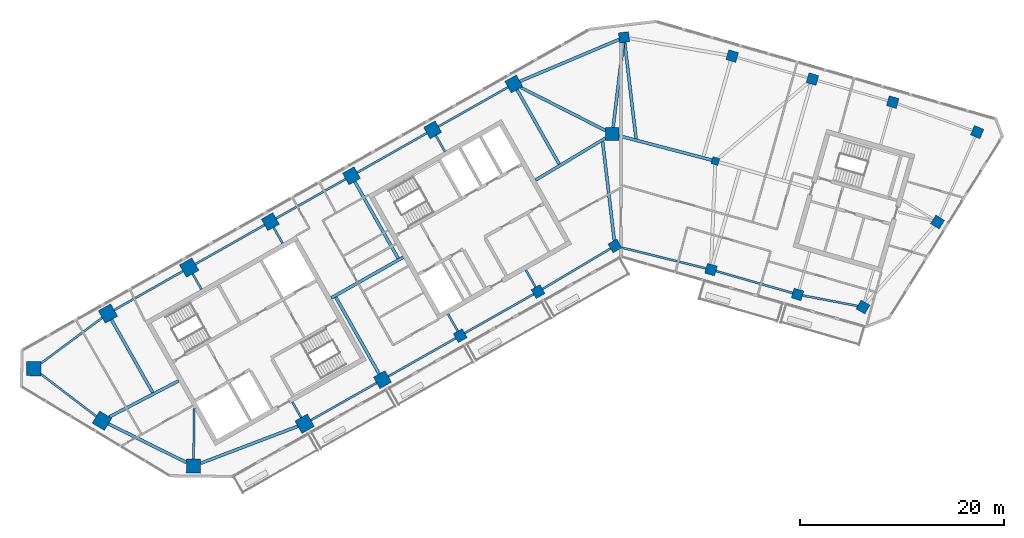
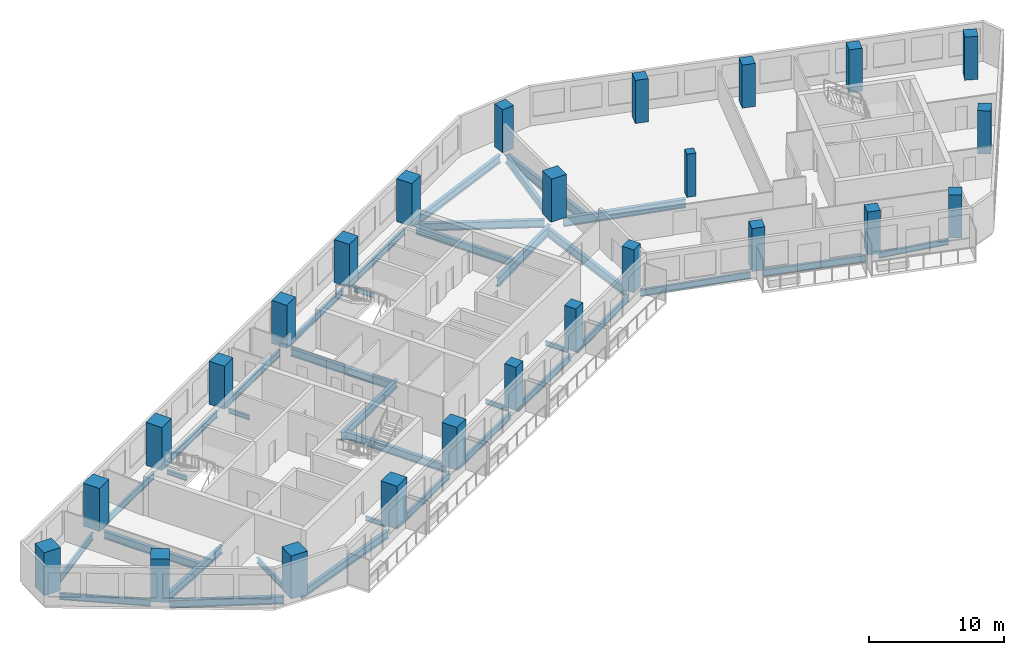
# One storey, part 1 of 11: 36 beams, 25 columns.
"""IFC4 building model written with IfcOpenShell, lengths in metres."""

from ifc_helpers import new_model, si_unit, direction, frame, origin, origin_2d, place, context, subcontext, project, spatial, rectangle, i_section, extrude, material, material_profile, profile_set, type_object, element, save


model = new_model("IFC4")

# Units and contexts
model_context = context("Model", 3, precision=1e-05, world=origin(), true_north=direction((0.0, 1.0)))
body_context = subcontext(model_context, "Body", "Model", "MODEL_VIEW")
ifc_project = project(units=[si_unit("LENGTHUNIT", "METRE"), si_unit("AREAUNIT", "SQUARE_METRE"), si_unit("VOLUMEUNIT", "CUBIC_METRE"), si_unit("PLANEANGLEUNIT", "RADIAN"), si_unit("MASSUNIT", "GRAM", prefix="KILO")], contexts=[model_context])

# Site, building, storey
site_placement = place(None, origin())
site = spatial("IfcSite", under=ifc_project, at=site_placement, CompositionType="ELEMENT")
building_placement = place(site_placement, origin())
building = spatial("IfcBuilding", under=site, at=building_placement, Name="Binnacle Exchange Tower", CompositionType="ELEMENT")
storey_placement = place(building_placement, frame((0.0, 0.0, 227.0)))
storey = spatial("IfcBuildingStorey", under=building, at=storey_placement, Name="L50", CompositionType="ELEMENT", Elevation=227.0)

# Columns
ifc_material_1 = material(Name="Concrete C60/75", Category="concrete")
ifc_material_profile_1 = material_profile(ifc_material_1, rectangle(XDim=0.699951171875, YDim=0.699951171875, at=origin_2d()), Name="Column 700x700 C60/75")
ifc_profile_set_1 = profile_set([ifc_material_profile_1], Name="Concrete C60/75")
column_type_1 = type_object("IfcColumnType", Name="Column 700x700 C60/75", PredefinedType="COLUMN", material=ifc_profile_set_1)
column_placement = place(storey_placement, frame((9.240966796875, 57.35009765625, 0.0), z_axis=(0.0, 0.0, 1.0), x_axis=(0.961261695938, -0.275637355817, 0.0)))
element("IfcColumn", 1, at=column_placement, inside=storey, type_object=column_type_1, Name="S:COL:C19:L50", PredefinedType="COLUMN", context=body_context, shape_type="SweptSolid", body=[
    extrude(rectangle(XDim=0.699951171875, YDim=0.699951171875, at=origin_2d()), origin(), (0.0, 0.0, 1.0), 3.89990234375),
])
ifc_material_profile_2 = material_profile(ifc_material_1, rectangle(XDim=1.0, YDim=1.0, at=origin_2d()), Name="Mega column 1000x1000 C60/75")
ifc_profile_set_2 = profile_set([ifc_material_profile_2], Name="Concrete C60/75")
column_type_2 = type_object("IfcColumnType", Name="Mega column 1000x1000 C60/75", PredefinedType="COLUMN", material=ifc_profile_set_2)
for number, where, z_axis, x_axis, name in (
    (2, (26.602783203125, 63.12353515625, 0.0), (0.0, 0.0, 1.0), (-0.961261695938, 0.275637355817, 0.0), "S:COL:MC52:L50"),
    (3, (18.746337890625, 65.376220703125, 0.0), (0.0, 0.0, 1.0), (-0.961261695938, 0.275637355817, 0.0), "S:COL:MC50:L50"),
    (4, (10.889892578125, 67.62890625, 0.0), (0.0, 0.0, 1.0), (-0.961261695938, 0.275637355817, 0.0), "S:COL:MC48:L50"),
    (5, (0.300048828125, 69.464111328125, 0.0), (0.0, 0.0, 1.0), (-0.993068456955, -0.117537397458, 0.0), "S:COL:MC47:L50"),
    (6, (-15.736328125, 40.257080078125, 0.0), (0.0, 0.0, 1.0), (0.87035569594, 0.492423560103, 0.0), "S:COL:MC24:L50"),
    (7, (-8.116943359375, 44.568115234375, 0.0), (0.0, 0.0, 1.0), (0.87035569594, 0.492423560103, 0.0), "S:COL:MC35:L50"),
    (8, (-0.5908203125, 49.04443359375, 0.0), (0.0, 0.0, 1.0), (0.87035569594, 0.492423560103, 0.0), "S:COL:MC46:L50"),
    (9, (8.8095703125, 46.722412109375, 0.0), (0.0, 0.0, 1.0), (0.961261695938, -0.275637355817, 0.0), "S:COL:MC49:L50"),
    (10, (17.2880859375, 44.291015625, 0.0), (0.0, 0.0, 1.0), (0.961261695938, -0.275637355817, 0.0), "S:COL:MC51:L50"),
    (11, (23.690185546875, 43.062744140625, 0.0), (0.0, 0.0, 1.0), (-0.86532642813, 0.501208711795, 0.0), "S:COL:MC53:L50"),
    (12, (30.989501953125, 51.38623046875, 0.0), (0.0, 0.0, 1.0), (0.529919264233, 0.848048096156, 0.0), "S:COL:MC55:L50"),
    (13, (34.870361328125, 60.18701171875, 0.0), (0.0, 0.0, 1.0), (-0.922814001807, 0.385245789164, 0.0), "S:COL:MC54:L50"),
):
    element("IfcColumn", number, at=place(storey_placement, frame(where, z_axis=z_axis, x_axis=x_axis)), inside=storey, type_object=column_type_2, Name=name, PredefinedType="COLUMN", context=body_context, shape_type="SweptSolid", body=[
        extrude(rectangle(XDim=1.0, YDim=1.0, at=origin_2d()), origin(), (0.0, 0.0, 1.0), 3.89990234375),
    ])
ifc_material_profile_3 = material_profile(ifc_material_1, rectangle(XDim=1.300048828125, YDim=1.300048828125, at=origin_2d()), Name="Mega column 1300x1300 C60/75")
ifc_profile_set_3 = profile_set([ifc_material_profile_3], Name="Concrete C60/75")
column_type_3 = type_object("IfcColumnType", Name="Mega column 1300x1300 C60/75", PredefinedType="COLUMN", material=ifc_profile_set_3)
for number, where, z_axis, x_axis, name in (
    (14, (-10.4951171875, 64.901611328125, 0.0), (0.0, 0.0, 1.0), (-0.87035569594, -0.492423560103, 0.0), "S:COL:MC38:L50"),
    (15, (-18.44140625, 60.406005859375, 0.0), (0.0, 0.0, 1.0), (-0.87035569594, -0.492423560103, 0.0), "S:COL:MC29:L50"),
    (16, (-26.3876953125, 55.91015625, 0.0), (0.0, 0.0, 1.0), (-0.87035569594, -0.492423560103, 0.0), "S:COL:MC21:L50"),
    (17, (-34.333740234375, 51.414306640625, 0.0), (0.0, 0.0, 1.0), (-0.87035569594, -0.492423560103, 0.0), "S:COL:MC13:L50"),
    (18, (-23.35595703125, 35.9462890625, 0.0), (0.0, 0.0, 1.0), (0.87035569594, 0.492423560103, 0.0), "S:COL:MC16:L50"),
    (19, (-0.85009765625, 60.0, 0.0), (0.0, 0.0, 1.0), (0.0, 1.0, 0.0), "S:COL:MC45:L50"),
):
    element("IfcColumn", number, at=place(storey_placement, frame(where, z_axis=z_axis, x_axis=x_axis)), inside=storey, type_object=column_type_3, Name=name, PredefinedType="COLUMN", context=body_context, shape_type="SweptSolid", body=[
        extrude(rectangle(XDim=1.300048828125, YDim=1.300048828125, at=origin_2d()), origin(), (0.0, 0.0, 1.0), 3.89990234375),
    ])
ifc_material_profile_4 = material_profile(ifc_material_1, rectangle(XDim=1.39990234375, YDim=1.39990234375, at=origin_2d()), Name="Mega column 1400x1400 C60/75")
ifc_profile_set_4 = profile_set([ifc_material_profile_4], Name="Concrete C60/75")
column_type_4 = type_object("IfcColumnType", Name="Mega column 1400x1400 C60/75", PredefinedType="COLUMN", material=ifc_profile_set_4)
for number, where, z_axis, x_axis, name in (
    (20, (-42.280029296875, 46.918701171875, 0.0), (0.0, 0.0, 1.0), (-0.87035569594, -0.492423560103, 0.0), "S:COL:MC08:L50"),
    (21, (-50.226318359375, 42.4228515625, 0.0), (0.0, 0.0, 1.0), (-0.87035569594, -0.492423560103, 0.0), "S:COL:MC04:L50"),
    (22, (-57.492919921875, 37.02734375, 0.0), (0.0, 0.0, 1.0), (-0.013089595571, -0.999914327574, 0.0), "S:COL:MC02:L50"),
    (23, (-50.81201171875, 31.930908203125, 0.0), (0.0, 0.0, 1.0), (0.857167300702, -0.51503807491, 0.0), "S:COL:MC01:L50"),
    (24, (-41.857666015625, 27.494873046875, 0.0), (0.0, 0.0, 1.0), (0.999914327574, -0.013089595571, 0.0), "S:COL:MC03:L50"),
    (25, (-30.9755859375, 31.63525390625, 0.0), (0.0, 0.0, 1.0), (0.87035569594, 0.492423560103, 0.0), "S:COL:MC07:L50"),
):
    element("IfcColumn", number, at=place(storey_placement, frame(where, z_axis=z_axis, x_axis=x_axis)), inside=storey, type_object=column_type_4, Name=name, PredefinedType="COLUMN", context=body_context, shape_type="SweptSolid", body=[
        extrude(rectangle(XDim=1.39990234375, YDim=1.39990234375, at=origin_2d()), origin(), (0.0, 0.0, 1.0), 3.89990234375),
    ])

# Beams
ifc_material_2 = material(Name="Steel S355 (SHN355)", Category="steel")
ifc_material_profile_5 = material_profile(ifc_material_2, i_section(OverallWidth=0.199951171875, OverallDepth=0.5, WebThickness=0.010009765625, FlangeThickness=0.01611328125, FilletRadius=0.02001953125, at=origin_2d()), Name="H 500x200x10x16")
ifc_profile_set_5 = profile_set([ifc_material_profile_5], Name="Steel S355 (SHN355)")
beam_type_1 = type_object("IfcBeamType", Name="Edge girder H 500x200x10x16 Steel S355 (SHN355)", PredefinedType="SPANDREL", material=ifc_profile_set_5)
beam_1_placement = place(storey_placement, frame((17.78125, 44.196533203125, -0.530029296875), z_axis=(0.98208728148, -0.188426568073, 0.0), x_axis=(0.188426568073, 0.98208728148, 0.0)))
element("IfcBeam", 26, at=beam_1_placement, inside=storey, type_object=beam_type_1, Name="S:BM:edge:L50:028", PredefinedType="SPANDREL", context=body_context, shape_type="SweptSolid", body=[
    extrude(i_section(OverallWidth=0.199951171875, OverallDepth=0.5, WebThickness=0.010009765625, FlangeThickness=0.01611328125, FilletRadius=0.02001953125, at=origin_2d()), origin(), (0.0, 0.0, 1.0), 5.4873046875),
])
ifc_material_profile_6 = material_profile(ifc_material_2, i_section(OverallWidth=0.199951171875, OverallDepth=0.60009765625, WebThickness=0.010986328125, FlangeThickness=0.01708984375, FilletRadius=0.02197265625, at=origin_2d()), Name="H 600x200x11x17")
ifc_profile_set_6 = profile_set([ifc_material_profile_6], Name="Steel S355 (SHN355)")
beam_type_2 = type_object("IfcBeamType", Name="Edge girder H 600x200x11x17 Steel S355 (SHN355)", PredefinedType="SPANDREL", material=ifc_profile_set_6)
beam_2_placement = place(storey_placement, frame((-56.7998046875, 36.49853515625, -0.580078125), z_axis=(0.795081038606, -0.606503208606, 0.0), x_axis=(0.606503208606, 0.795081038606, 0.0)))
element("IfcBeam", 27, at=beam_2_placement, inside=storey, type_object=beam_type_2, Name="S:BM:edge:L50:011", PredefinedType="SPANDREL", context=body_context, shape_type="SweptSolid", body=[
    extrude(i_section(OverallWidth=0.199951171875, OverallDepth=0.60009765625, WebThickness=0.010986328125, FlangeThickness=0.01708984375, FilletRadius=0.02197265625, at=origin_2d()), origin(), (0.0, 0.0, 1.0), 6.82666015625),
])
ifc_material_profile_7 = material_profile(ifc_material_2, i_section(OverallWidth=0.200927734375, OverallDepth=0.60595703125, WebThickness=0.011962890625, FlangeThickness=0.02001953125, FilletRadius=0.02197265625, at=origin_2d()), Name="H 606x201x12x20")
ifc_profile_set_7 = profile_set([ifc_material_profile_7], Name="Steel S355 (SHN355)")
beam_type_3 = type_object("IfcBeamType", Name="Edge girder H 606x201x12x20 Steel S355 (SHN355)", PredefinedType="SPANDREL", material=ifc_profile_set_7)
beam_3_placement = place(storey_placement, frame((-50.79248046875, 42.00244140625, -0.5830078125), z_axis=(-0.802886959261, -0.596131303194, 0.0), x_axis=(0.596131303194, -0.802886959261, 0.0)))
element("IfcBeam", 28, at=beam_3_placement, inside=storey, type_object=beam_type_3, Name="S:BM:edge:L50:012", PredefinedType="SPANDREL", context=body_context, shape_type="SweptSolid", body=[
    extrude(i_section(OverallWidth=0.200927734375, OverallDepth=0.60595703125, WebThickness=0.011962890625, FlangeThickness=0.02001953125, FilletRadius=0.02197265625, at=origin_2d()), origin(), (0.0, 0.0, 1.0), 7.465087890625),
])
beam_4_placement = place(storey_placement, frame((-30.3662109375, 31.97998046875, -0.5830078125), z_axis=(0.87035151347, 0.49243095252, 0.0), x_axis=(-0.49243095252, 0.87035151347, 0.0)))
element("IfcBeam", 29, at=beam_4_placement, inside=storey, type_object=beam_type_3, Name="S:BM:edge:L50:017", PredefinedType="SPANDREL", context=body_context, shape_type="SweptSolid", body=[
    extrude(i_section(OverallWidth=0.200927734375, OverallDepth=0.60595703125, WebThickness=0.011962890625, FlangeThickness=0.02001953125, FilletRadius=0.02197265625, at=origin_2d()), origin(), (0.0, 0.0, 1.0), 7.404541015625),
])
beam_5_placement = place(storey_placement, frame((-22.790283203125, 36.266357421875, -0.5830078125), z_axis=(0.870357072119, 0.492421127708, 0.0), x_axis=(-0.492421127708, 0.870357072119, 0.0)))
element("IfcBeam", 30, at=beam_5_placement, inside=storey, type_object=beam_type_3, Name="S:BM:edge:L50:019", PredefinedType="SPANDREL", context=body_context, shape_type="SweptSolid", body=[
    extrude(i_section(OverallWidth=0.200927734375, OverallDepth=0.60595703125, WebThickness=0.011962890625, FlangeThickness=0.02001953125, FilletRadius=0.02197265625, at=origin_2d()), origin(), (0.0, 0.0, 1.0), 7.6044921875),
])
beam_6_placement = place(storey_placement, frame((-15.30126953125, 40.50341796875, -0.5830078125), z_axis=(0.870352841483, 0.492428605304, 0.0), x_axis=(-0.492428605304, 0.870352841483, 0.0)))
element("IfcBeam", 31, at=beam_6_placement, inside=storey, type_object=beam_type_3, Name="S:BM:edge:L50:021", PredefinedType="SPANDREL", context=body_context, shape_type="SweptSolid", body=[
    extrude(i_section(OverallWidth=0.200927734375, OverallDepth=0.60595703125, WebThickness=0.011962890625, FlangeThickness=0.02001953125, FilletRadius=0.02197265625, at=origin_2d()), origin(), (0.0, 0.0, 1.0), 7.754638671875),
])
beam_7_placement = place(storey_placement, frame((-7.68701171875, 44.82373046875, -0.5830078125), z_axis=(0.859458521045, 0.51120548765, 0.0), x_axis=(-0.51120548765, 0.859458521045, 0.0)))
element("IfcBeam", 32, at=beam_7_placement, inside=storey, type_object=beam_type_3, Name="S:BM:edge:L50:023", PredefinedType="SPANDREL", context=body_context, shape_type="SweptSolid", body=[
    extrude(i_section(OverallWidth=0.200927734375, OverallDepth=0.60595703125, WebThickness=0.011962890625, FlangeThickness=0.02001953125, FilletRadius=0.02197265625, at=origin_2d()), origin(), (0.0, 0.0, 1.0), 7.75634765625),
])
beam_8_placement = place(storey_placement, frame((9.2900390625, 46.58447265625, -0.5830078125), z_axis=(0.961265533153, -0.275623973506, 0.0), x_axis=(0.275623973506, 0.961265533153, 0.0)))
element("IfcBeam", 33, at=beam_8_placement, inside=storey, type_object=beam_type_3, Name="S:BM:edge:L50:026", PredefinedType="SPANDREL", context=body_context, shape_type="SweptSolid", body=[
    extrude(i_section(OverallWidth=0.200927734375, OverallDepth=0.60595703125, WebThickness=0.011962890625, FlangeThickness=0.02001953125, FilletRadius=0.02197265625, at=origin_2d()), origin(), (0.0, 0.0, 1.0), 7.820556640625),
])
ifc_material_profile_8 = material_profile(ifc_material_2, i_section(OverallWidth=0.201904296875, OverallDepth=0.612060546875, WebThickness=0.012939453125, FlangeThickness=0.02294921875, FilletRadius=0.02197265625, at=origin_2d()), Name="H 612x202x13x23")
ifc_profile_set_8 = profile_set([ifc_material_profile_8], Name="Steel S355 (SHN355)")
beam_type_4 = type_object("IfcBeamType", Name="Edge girder H 612x202x13x23 Steel S355 (SHN355)", PredefinedType="SPANDREL", material=ifc_profile_set_8)
beam_9_placement = place(storey_placement, frame((-42.88916015625, 46.573974609375, -0.5859375), z_axis=(-0.870355702011, -0.492423549372, 0.0), x_axis=(0.492423549372, -0.870355702011, 0.0)))
element("IfcBeam", 34, at=beam_9_placement, inside=storey, type_object=beam_type_4, Name="S:BM:edge:L50:014", PredefinedType="SPANDREL", context=body_context, shape_type="SweptSolid", body=[
    extrude(i_section(OverallWidth=0.201904296875, OverallDepth=0.612060546875, WebThickness=0.012939453125, FlangeThickness=0.02294921875, FilletRadius=0.02197265625, at=origin_2d()), origin(), (0.0, 0.0, 1.0), 7.72998046875),
])
beam_10_placement = place(storey_placement, frame((-34.8994140625, 51.09423828125, -0.5859375), z_axis=(-0.870365218126, -0.492406729317, 0.0), x_axis=(0.492406729317, -0.870365218126, 0.0)))
element("IfcBeam", 35, at=beam_10_placement, inside=storey, type_object=beam_type_4, Name="S:BM:edge:L50:016", PredefinedType="SPANDREL", context=body_context, shape_type="SweptSolid", body=[
    extrude(i_section(OverallWidth=0.201904296875, OverallDepth=0.612060546875, WebThickness=0.012939453125, FlangeThickness=0.02294921875, FilletRadius=0.02197265625, at=origin_2d()), origin(), (0.0, 0.0, 1.0), 7.77978515625),
])
beam_11_placement = place(storey_placement, frame((-26.953369140625, 55.590087890625, -0.5859375), z_axis=(-0.870361249296, -0.492413744452, 0.0), x_axis=(0.492413744452, -0.870361249296, 0.0)))
element("IfcBeam", 36, at=beam_11_placement, inside=storey, type_object=beam_type_4, Name="S:BM:edge:L50:018", PredefinedType="SPANDREL", context=body_context, shape_type="SweptSolid", body=[
    extrude(i_section(OverallWidth=0.201904296875, OverallDepth=0.612060546875, WebThickness=0.012939453125, FlangeThickness=0.02294921875, FilletRadius=0.02197265625, at=origin_2d()), origin(), (0.0, 0.0, 1.0), 7.829833984375),
])
beam_12_placement = place(storey_placement, frame((-19.007080078125, 60.0859375, -0.5859375), z_axis=(-0.870355446453, -0.492424001069, 0.0), x_axis=(0.492424001069, -0.870355446453, 0.0)))
element("IfcBeam", 37, at=beam_12_placement, inside=storey, type_object=beam_type_4, Name="S:BM:edge:L50:020", PredefinedType="SPANDREL", context=body_context, shape_type="SweptSolid", body=[
    extrude(i_section(OverallWidth=0.201904296875, OverallDepth=0.612060546875, WebThickness=0.012939453125, FlangeThickness=0.02294921875, FilletRadius=0.02197265625, at=origin_2d()), origin(), (0.0, 0.0, 1.0), 7.830078125),
])
beam_13_placement = place(storey_placement, frame((-11.060791015625, 64.58154296875, -0.5859375), z_axis=(-0.870361249296, -0.492413744452, 0.0), x_axis=(0.492413744452, -0.870361249296, 0.0)))
element("IfcBeam", 38, at=beam_13_placement, inside=storey, type_object=beam_type_4, Name="S:BM:edge:L50:022", PredefinedType="SPANDREL", context=body_context, shape_type="SweptSolid", body=[
    extrude(i_section(OverallWidth=0.201904296875, OverallDepth=0.612060546875, WebThickness=0.012939453125, FlangeThickness=0.02294921875, FilletRadius=0.02197265625, at=origin_2d()), origin(), (0.0, 0.0, 1.0), 7.829833984375),
])
beam_14_placement = place(storey_placement, frame((0.076904296875, 48.87939453125, -0.5859375), z_axis=(0.970819987475, -0.239809407487, 0.0), x_axis=(0.239809407487, 0.970819987475, 0.0)))
element("IfcBeam", 39, at=beam_14_placement, inside=storey, type_object=beam_type_4, Name="S:BM:edge:L50:025", PredefinedType="SPANDREL", context=body_context, shape_type="SweptSolid", body=[
    extrude(i_section(OverallWidth=0.201904296875, OverallDepth=0.612060546875, WebThickness=0.012939453125, FlangeThickness=0.02294921875, FilletRadius=0.02197265625, at=origin_2d()), origin(), (0.0, 0.0, 1.0), 8.49462890625),
])
ifc_material_profile_9 = material_profile(ifc_material_2, i_section(OverallWidth=0.300048828125, OverallDepth=0.699951171875, WebThickness=0.012939453125, FlangeThickness=0.02392578125, FilletRadius=0.028076171875, at=origin_2d()), Name="H 700x300x13x24")
ifc_profile_set_9 = profile_set([ifc_material_profile_9], Name="Steel S355 (SHN355)")
beam_type_5 = type_object("IfcBeamType", Name="Edge girder H 700x300x13x24 Steel S355 (SHN355)", PredefinedType="SPANDREL", material=ifc_profile_set_9)
beam_15_placement = place(storey_placement, frame((-50.1826171875, 31.619140625, -0.6298828125), z_axis=(0.896061326398, -0.443930286569, 0.0), x_axis=(0.443930286569, 0.896061326398, 0.0)))
element("IfcBeam", 40, at=beam_15_placement, inside=storey, type_object=beam_type_5, Name="S:BM:edge:L50:013", PredefinedType="SPANDREL", context=body_context, shape_type="SweptSolid", body=[
    extrude(i_section(OverallWidth=0.300048828125, OverallDepth=0.699951171875, WebThickness=0.012939453125, FlangeThickness=0.02392578125, FilletRadius=0.028076171875, at=origin_2d()), origin(), (0.0, 0.0, 1.0), 8.514404296875),
])
beam_16_placement = place(storey_placement, frame((-41.154052734375, 27.762451171875, -0.6298828125), z_axis=(0.934627442278, 0.355628379268, 0.0), x_axis=(-0.355628379268, 0.934627442278, 0.0)))
element("IfcBeam", 41, at=beam_16_placement, inside=storey, type_object=beam_type_5, Name="S:BM:edge:L50:015", PredefinedType="SPANDREL", context=body_context, shape_type="SweptSolid", body=[
    extrude(i_section(OverallWidth=0.300048828125, OverallDepth=0.699951171875, WebThickness=0.012939453125, FlangeThickness=0.02392578125, FilletRadius=0.028076171875, at=origin_2d()), origin(), (0.0, 0.0, 1.0), 10.18212890625),
])
beam_17_placement = place(storey_placement, frame((-0.179443359375, 69.261474609375, -0.6298828125), z_axis=(-0.921114178723, -0.389292524659, 0.0), x_axis=(0.389292524659, -0.921114178723, 0.0)))
element("IfcBeam", 42, at=beam_17_placement, inside=storey, type_object=beam_type_5, Name="S:BM:edge:L50:024", PredefinedType="SPANDREL", context=body_context, shape_type="SweptSolid", body=[
    extrude(i_section(OverallWidth=0.300048828125, OverallDepth=0.699951171875, WebThickness=0.012939453125, FlangeThickness=0.02392578125, FilletRadius=0.028076171875, at=origin_2d()), origin(), (0.0, 0.0, 1.0), 10.544677734375),
])
ifc_material_profile_10 = material_profile(ifc_material_2, i_section(OverallWidth=0.199951171875, OverallDepth=0.39990234375, WebThickness=0.008056640625, FlangeThickness=0.012939453125, FilletRadius=0.01611328125, at=origin_2d()), Name="H 400x200x8x13")
ifc_profile_set_10 = profile_set([ifc_material_profile_10], Name="Steel S355 (SHN355)")
beam_type_6 = type_object("IfcBeamType", Name="Floor beam H 400x200x8x13 Steel S355 (SHN355)", PredefinedType="BEAM", material=ifc_profile_set_10)
beam_18_placement = place(storey_placement, frame((-41.935302734375, 46.3095703125, -0.47998046875), z_axis=(0.492405102951, -0.870366138236, 0.0), x_axis=(0.870366138236, 0.492405102951, 0.0)))
element("IfcBeam", 43, at=beam_18_placement, inside=storey, type_object=beam_type_6, Name="S:BM:cross:L50:035", PredefinedType="BEAM", context=body_context, shape_type="SweptSolid", body=[
    extrude(i_section(OverallWidth=0.199951171875, OverallDepth=0.39990234375, WebThickness=0.008056640625, FlangeThickness=0.012939453125, FilletRadius=0.01611328125, at=origin_2d()), origin(), (0.0, 0.0, 1.0), 1.734375),
])
beam_19_placement = place(storey_placement, frame((-34.013671875, 50.8486328125, -0.47998046875), z_axis=(0.492435931281, -0.870348696548, 0.0), x_axis=(0.870348696548, 0.492435931281, 0.0)))
element("IfcBeam", 44, at=beam_19_placement, inside=storey, type_object=beam_type_6, Name="S:BM:cross:L50:037", PredefinedType="BEAM", context=body_context, shape_type="SweptSolid", body=[
    extrude(i_section(OverallWidth=0.199951171875, OverallDepth=0.39990234375, WebThickness=0.008056640625, FlangeThickness=0.012939453125, FilletRadius=0.01611328125, at=origin_2d()), origin(), (0.0, 0.0, 1.0), 1.784423828125),
])
beam_20_placement = place(storey_placement, frame((-31.3203125, 32.244384765625, -0.47998046875), z_axis=(-0.492405102951, 0.870366138236, 0.0), x_axis=(-0.870366138236, -0.492405102951, 0.0)))
element("IfcBeam", 45, at=beam_20_placement, inside=storey, type_object=beam_type_6, Name="S:BM:cross:L50:038", PredefinedType="BEAM", context=body_context, shape_type="SweptSolid", body=[
    extrude(i_section(OverallWidth=0.199951171875, OverallDepth=0.39990234375, WebThickness=0.008056640625, FlangeThickness=0.012939453125, FilletRadius=0.01611328125, at=origin_2d()), origin(), (0.0, 0.0, 1.0), 1.734375),
])
beam_21_placement = place(storey_placement, frame((-18.12109375, 59.84033203125, -0.47998046875), z_axis=(0.49233227435, -0.870407336615, 0.0), x_axis=(0.870407336615, 0.49233227435, 0.0)))
element("IfcBeam", 46, at=beam_21_placement, inside=storey, type_object=beam_type_6, Name="S:BM:cross:L50:041", PredefinedType="BEAM", context=body_context, shape_type="SweptSolid", body=[
    extrude(i_section(OverallWidth=0.199951171875, OverallDepth=0.39990234375, WebThickness=0.008056640625, FlangeThickness=0.012939453125, FilletRadius=0.01611328125, at=origin_2d()), origin(), (0.0, 0.0, 1.0), 1.7841796875),
])
for number, where, z_axis, x_axis, name in (
    (47, (-15.982666015625, 40.6923828125, -0.47998046875), (-0.492369148916, 0.870386478063, 0.0), (-0.870386478063, -0.492369148916, 0.0), "S:BM:cross:L50:042"),
    (48, (-8.363037109375, 45.00341796875, -0.47998046875), (-0.492518856771, 0.870301772792, 0.0), (-0.870301772792, -0.492518856771, 0.0), "S:BM:cross:L50:044"),
):
    element("IfcBeam", number, at=place(storey_placement, frame(where, z_axis=z_axis, x_axis=x_axis)), inside=storey, type_object=beam_type_6, Name=name, PredefinedType="BEAM", context=body_context, shape_type="SweptSolid", body=[
        extrude(i_section(OverallWidth=0.199951171875, OverallDepth=0.39990234375, WebThickness=0.008056640625, FlangeThickness=0.012939453125, FilletRadius=0.01611328125, at=origin_2d()), origin(), (0.0, 0.0, 1.0), 1.934326171875),
    ])
ifc_material_profile_11 = material_profile(ifc_material_2, i_section(OverallWidth=0.200927734375, OverallDepth=0.506103515625, WebThickness=0.010986328125, FlangeThickness=0.01904296875, FilletRadius=0.02001953125, at=origin_2d()), Name="H 506x201x11x19")
ifc_profile_set_11 = profile_set([ifc_material_profile_11], Name="Steel S355 (SHN355)")
beam_type_7 = type_object("IfcBeamType", Name="Floor beam H 506x201x11x19 Steel S355 (SHN355)", PredefinedType="BEAM", material=ifc_profile_set_11)
beam_22_placement = place(storey_placement, frame((-41.848388671875, 28.194580078125, -0.532958984375), z_axis=(0.013067878487, 0.99991461163, 0.0), x_axis=(-0.99991461163, 0.013067878487, 0.0)))
element("IfcBeam", 49, at=beam_22_placement, inside=storey, type_object=beam_type_7, Name="S:BM:cross:L50:036", PredefinedType="BEAM", context=body_context, shape_type="SweptSolid", body=[
    extrude(i_section(OverallWidth=0.200927734375, OverallDepth=0.506103515625, WebThickness=0.010986328125, FlangeThickness=0.01904296875, FilletRadius=0.02001953125, at=origin_2d()), origin(), (0.0, 0.0, 1.0), 4.950927734375),
])
ifc_material_profile_12 = material_profile(ifc_material_2, i_section(OverallWidth=0.300048828125, OverallDepth=0.699951171875, WebThickness=0.012939453125, FlangeThickness=0.02392578125, FilletRadius=0.028076171875, at=origin_2d()), Name="H 700x300x13x24")
ifc_profile_set_12 = profile_set([ifc_material_profile_12], Name="Steel S355 (SHN355)")
beam_type_8 = type_object("IfcBeamType", Name="Floor beam H 700x300x13x24 Steel S355 (SHN355)", PredefinedType="BEAM", material=ifc_profile_set_12)
beam_23_placement = place(storey_placement, frame((-49.881591796875, 41.813720703125, -0.6298828125), z_axis=(0.492430408551, -0.870351821239, 0.0), x_axis=(0.870351821239, 0.492430408551, 0.0)))
element("IfcBeam", 50, at=beam_23_placement, inside=storey, type_object=beam_type_8, Name="S:BM:cross:L50:034", PredefinedType="BEAM", context=body_context, shape_type="SweptSolid", body=[
    extrude(i_section(OverallWidth=0.300048828125, OverallDepth=0.699951171875, WebThickness=0.012939453125, FlangeThickness=0.02392578125, FilletRadius=0.028076171875, at=origin_2d()), origin(), (0.0, 0.0, 1.0), 8.19140625),
])
beam_24_placement = place(storey_placement, frame((-10.175048828125, 64.3359375, -0.6298828125), z_axis=(0.492424391334, -0.870355225652, 0.0), x_axis=(0.870355225652, 0.492424391334, 0.0)))
element("IfcBeam", 51, at=beam_24_placement, inside=storey, type_object=beam_type_8, Name="S:BM:cross:L50:043", PredefinedType="BEAM", context=body_context, shape_type="SweptSolid", body=[
    extrude(i_section(OverallWidth=0.300048828125, OverallDepth=0.699951171875, WebThickness=0.012939453125, FlangeThickness=0.02392578125, FilletRadius=0.028076171875, at=origin_2d()), origin(), (0.0, 0.0, 1.0), 8.369384765625),
])
ifc_material_profile_13 = material_profile(ifc_material_2, i_section(OverallWidth=0.302001953125, OverallDepth=0.7080078125, WebThickness=0.014892578125, FlangeThickness=0.028076171875, FilletRadius=0.028076171875, at=origin_2d()), Name="H 708x302x15x28")
ifc_profile_set_13 = profile_set([ifc_material_profile_13], Name="Steel S355 (SHN355)")
beam_type_9 = type_object("IfcBeamType", Name="Floor beam H 708x302x15x28 Steel S355 (SHN355)", PredefinedType="BEAM", material=ifc_profile_set_13)
beam_25_placement = place(storey_placement, frame((-26.0673828125, 55.344482421875, -0.634033203125), z_axis=(0.492401028839, -0.870368443131, 0.0), x_axis=(0.870368443131, 0.492401028839, 0.0)))
element("IfcBeam", 52, at=beam_25_placement, inside=storey, type_object=beam_type_9, Name="S:BM:cross:L50:039", PredefinedType="BEAM", context=body_context, shape_type="SweptSolid", body=[
    extrude(i_section(OverallWidth=0.302001953125, OverallDepth=0.7080078125, WebThickness=0.014892578125, FlangeThickness=0.028076171875, FilletRadius=0.028076171875, at=origin_2d()), origin(), (0.0, 0.0, 1.0), 8.634033203125),
])
beam_26_placement = place(storey_placement, frame((-23.676025390625, 36.511962890625, -0.634033203125), z_axis=(-0.492422448747, 0.870356324714, 0.0), x_axis=(-0.870356324714, -0.492422448747, 0.0)))
element("IfcBeam", 53, at=beam_26_placement, inside=storey, type_object=beam_type_9, Name="S:BM:cross:L50:040", PredefinedType="BEAM", context=body_context, shape_type="SweptSolid", body=[
    extrude(i_section(OverallWidth=0.302001953125, OverallDepth=0.7080078125, WebThickness=0.014892578125, FlangeThickness=0.028076171875, FilletRadius=0.028076171875, at=origin_2d()), origin(), (0.0, 0.0, 1.0), 8.63427734375),
])
ifc_material_profile_14 = material_profile(ifc_material_2, i_section(OverallWidth=0.300048828125, OverallDepth=0.800048828125, WebThickness=0.013916015625, FlangeThickness=0.02587890625, FilletRadius=0.028076171875, at=origin_2d()), Name="H 800x300x14x26")
ifc_profile_set_14 = profile_set([ifc_material_profile_14], Name="Steel S355 (SHN355)")
beam_type_10 = type_object("IfcBeamType", Name="Floor beam H 800x300x14x26 Steel S355 (SHN355)", PredefinedType="BEAM", material=ifc_profile_set_14)
beam_27_placement = place(storey_placement, frame((-0.654541015625, 49.5830078125, -0.679931640625), z_axis=(-0.117538284625, 0.993068351951, 0.0), x_axis=(-0.993068351951, -0.117538284625, 0.0)))
element("IfcBeam", 54, at=beam_27_placement, inside=storey, type_object=beam_type_10, Name="S:BM:cross:L50:045", PredefinedType="BEAM", context=body_context, shape_type="SweptSolid", body=[
    extrude(i_section(OverallWidth=0.300048828125, OverallDepth=0.800048828125, WebThickness=0.013916015625, FlangeThickness=0.02587890625, FilletRadius=0.028076171875, at=origin_2d()), origin(), (0.0, 0.0, 1.0), 9.754150390625),
])
beam_28_placement = place(storey_placement, frame((0.35888671875, 68.9677734375, -0.679931640625), z_axis=(0.117547988923, -0.993067203315, 0.0), x_axis=(0.993067203315, 0.117547988923, 0.0)))
element("IfcBeam", 55, at=beam_28_placement, inside=storey, type_object=beam_type_10, Name="S:BM:cross:L50:046", PredefinedType="BEAM", context=body_context, shape_type="SweptSolid", body=[
    extrude(i_section(OverallWidth=0.300048828125, OverallDepth=0.800048828125, WebThickness=0.013916015625, FlangeThickness=0.02587890625, FilletRadius=0.028076171875, at=origin_2d()), origin(), (0.0, 0.0, 1.0), 9.5),
])
ifc_material_profile_15 = material_profile(ifc_material_2, i_section(OverallWidth=0.300048828125, OverallDepth=0.699951171875, WebThickness=0.012939453125, FlangeThickness=0.02392578125, FilletRadius=0.028076171875, at=origin_2d()), Name="H 700x300x13x24")
ifc_profile_set_15 = profile_set([ifc_material_profile_15], Name="Steel S355 (SHN355)")
beam_type_11 = type_object("IfcBeamType", Name="Spine girder H 700x300x13x24 Steel S355 (SHN355)", PredefinedType="BEAM", material=ifc_profile_set_15)
beam_29_placement = place(storey_placement, frame((-50.083740234375, 32.31005859375, -0.6298828125), z_axis=(0.886975994229, 0.46181553207, 0.0), x_axis=(-0.46181553207, 0.886975994229, 0.0)))
element("IfcBeam", 56, at=beam_29_placement, inside=storey, type_object=beam_type_11, Name="S:BM:spine:L50:001", PredefinedType="BEAM", context=body_context, shape_type="SweptSolid", body=[
    extrude(i_section(OverallWidth=0.300048828125, OverallDepth=0.699951171875, WebThickness=0.012939453125, FlangeThickness=0.02392578125, FilletRadius=0.028076171875, at=origin_2d()), origin(), (0.0, 0.0, 1.0), 7.6396484375),
])
beam_30_placement = place(storey_placement, frame((-1.5, 60.330322265625, -0.6298828125), z_axis=(-0.891481538846, 0.453057022786, 0.0), x_axis=(-0.453057022786, -0.891481538846, 0.0)))
element("IfcBeam", 57, at=beam_30_placement, inside=storey, type_object=beam_type_11, Name="S:BM:spine:L50:004", PredefinedType="BEAM", context=body_context, shape_type="SweptSolid", body=[
    extrude(i_section(OverallWidth=0.300048828125, OverallDepth=0.699951171875, WebThickness=0.012939453125, FlangeThickness=0.02392578125, FilletRadius=0.028076171875, at=origin_2d()), origin(), (0.0, 0.0, 1.0), 9.31005859375),
])
beam_31_placement = place(storey_placement, frame((-0.77099609375, 60.64990234375, -0.6298828125), z_axis=(0.120632086068, 0.992697285083, 0.0), x_axis=(-0.992697285083, 0.120632086068, 0.0)))
element("IfcBeam", 58, at=beam_31_placement, inside=storey, type_object=beam_type_11, Name="S:BM:spine:L50:005", PredefinedType="BEAM", context=body_context, shape_type="SweptSolid", body=[
    extrude(i_section(OverallWidth=0.300048828125, OverallDepth=0.699951171875, WebThickness=0.012939453125, FlangeThickness=0.02392578125, FilletRadius=0.028076171875, at=origin_2d()), origin(), (0.0, 0.0, 1.0), 8.364501953125),
])
ifc_material_profile_16 = material_profile(ifc_material_2, i_section(OverallWidth=0.302001953125, OverallDepth=0.7080078125, WebThickness=0.014892578125, FlangeThickness=0.028076171875, FilletRadius=0.028076171875, at=origin_2d()), Name="H 708x302x15x28")
ifc_profile_set_16 = profile_set([ifc_material_profile_16], Name="Steel S355 (SHN355)")
beam_type_12 = type_object("IfcBeamType", Name="Spine girder H 708x302x15x28 Steel S355 (SHN355)", PredefinedType="BEAM", material=ifc_profile_set_16)
beam_32_placement = place(storey_placement, frame((-28.365478515625, 43.951416015625, -0.634033203125), z_axis=(0.870350319004, 0.492433063684, 0.0), x_axis=(-0.492433063684, 0.870350319004, 0.0)))
element("IfcBeam", 59, at=beam_32_placement, inside=storey, type_object=beam_type_12, Name="S:BM:spine:L50:002", PredefinedType="BEAM", context=body_context, shape_type="SweptSolid", body=[
    extrude(i_section(OverallWidth=0.302001953125, OverallDepth=0.7080078125, WebThickness=0.014892578125, FlangeThickness=0.028076171875, FilletRadius=0.028076171875, at=origin_2d()), origin(), (0.0, 0.0, 1.0), 8.0908203125),
])
ifc_material_profile_17 = material_profile(ifc_material_2, i_section(OverallWidth=0.300048828125, OverallDepth=0.800048828125, WebThickness=0.013916015625, FlangeThickness=0.02587890625, FilletRadius=0.028076171875, at=origin_2d()), Name="H 800x300x14x26")
ifc_profile_set_17 = profile_set([ifc_material_profile_17], Name="Steel S355 (SHN355)")
beam_type_13 = type_object("IfcBeamType", Name="Spine girder H 800x300x14x26 Steel S355 (SHN355)", PredefinedType="BEAM", material=ifc_profile_set_17)
beam_33_placement = place(storey_placement, frame((-8.36328125, 55.489990234375, -0.679931640625), z_axis=(0.857387955422, 0.514670665472, 0.0), x_axis=(-0.514670665472, 0.857387955422, 0.0)))
element("IfcBeam", 60, at=beam_33_placement, inside=storey, type_object=beam_type_13, Name="S:BM:spine:L50:003", PredefinedType="BEAM", context=body_context, shape_type="SweptSolid", body=[
    extrude(i_section(OverallWidth=0.300048828125, OverallDepth=0.800048828125, WebThickness=0.013916015625, FlangeThickness=0.02587890625, FilletRadius=0.028076171875, at=origin_2d()), origin(), (0.0, 0.0, 1.0), 8.0048828125),
])
beam_34_placement = place(storey_placement, frame((-0.199951171875, 59.829345703125, -0.679931640625), z_axis=(0.967210495765, -0.253976095098, 0.0), x_axis=(0.253976095098, 0.967210495765, 0.0)))
element("IfcBeam", 61, at=beam_34_placement, inside=storey, type_object=beam_type_13, Name="S:BM:spine:L50:006", PredefinedType="BEAM", context=body_context, shape_type="SweptSolid", body=[
    extrude(i_section(OverallWidth=0.300048828125, OverallDepth=0.800048828125, WebThickness=0.013916015625, FlangeThickness=0.02587890625, FilletRadius=0.028076171875, at=origin_2d()), origin(), (0.0, 0.0, 1.0), 9.410888671875),
])

save(model, "model.ifc")
